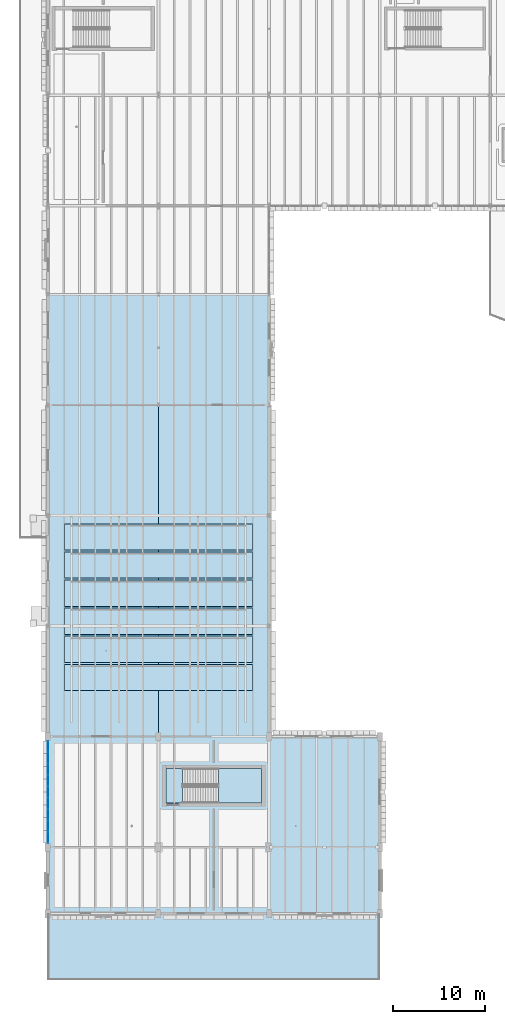
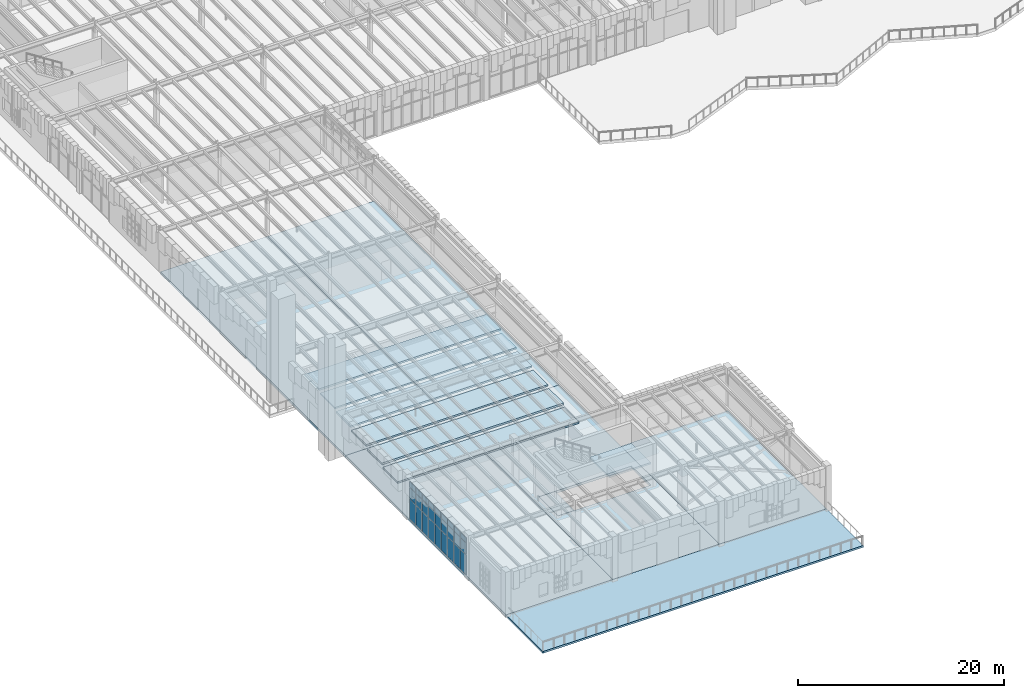
# One storey, part 39 of 103: 27 plates, 14 slabs, 2 elements without a shape of their own.
"""IFC4 building model written with IfcOpenShell, lengths in metres."""

from ifc_helpers import new_model, si_unit, direction, frame, origin, origin_2d, place, context, subcontext, project, spatial, polyline, rectangle, outline, extrude, material, layer, layer_set, type_object, element, aggregate, save


model = new_model("IFC4")

# Units and contexts
model_context = context("Model", 3, precision=1e-05, world=origin(), true_north=direction((0.0, 1.0)))
body_context = subcontext(model_context, "Body", "Model", "MODEL_VIEW")
ifc_project = project(units=[si_unit("LENGTHUNIT", "METRE"), si_unit("AREAUNIT", "SQUARE_METRE"), si_unit("VOLUMEUNIT", "CUBIC_METRE"), si_unit("PLANEANGLEUNIT", "RADIAN"), si_unit("MASSUNIT", "GRAM", prefix="KILO")], contexts=[model_context])

# Site, building, storey
site_placement = place(None, origin())
site = spatial("IfcSite", under=ifc_project, at=site_placement, CompositionType="ELEMENT")
building_placement = place(site_placement, origin())
building = spatial("IfcBuilding", under=site, at=building_placement, Name="Zlatogorsky Bluff Art Gallery", CompositionType="ELEMENT")
storey_placement = place(building_placement, origin())
storey = spatial("IfcBuildingStorey", under=building, at=storey_placement, Name="L00", CompositionType="ELEMENT", Elevation=0.0)

# Curtain wall, plates
ifc_material_1 = material(Name="Anodised Bronze Aluminium and Low-Iron Triple Glazing", Category="aluminium")
ifc_layer_1 = layer(ifc_material_1, 0.179931640625)
ifc_layer_set_1 = layer_set([ifc_layer_1], Name="Curtain Wall CW-03")
curtain_wall_type = type_object("IfcCurtainWallType", Name="Curtain Wall CW-03", PredefinedType="USERDEFINED", material=ifc_layer_set_1)
curtain_wall_placement = place(storey_placement, origin())
curtain_wall = element("IfcCurtainWall", 1, at=curtain_wall_placement, inside=storey, type_object=curtain_wall_type, Name="Unitised curtain wall CW-03 L00 W 0.2", ObjectType="CURTAIN WALL", PredefinedType="USERDEFINED")
ifc_material_2 = material(Name="Low-Iron Laminated Triple Glazing", Category="glass")
ifc_layer_2 = layer(ifc_material_2, 0.035888671875)
ifc_layer_set_2 = layer_set([ifc_layer_2], Name="Glazed Curtain Panel CWP-01")
plate_type = type_object("IfcPlateType", Name="Glazed Curtain Panel CWP-01", PredefinedType="CURTAIN_PANEL", material=ifc_layer_set_2)
plate_1_placement = place(storey_placement, frame((0.0, 25.321533203125, 0.06494140625), z_axis=(0.0, 0.0, 1.0), x_axis=(0.0, -1.0, 0.0)))
plate_1 = element("IfcPlate", 2, at=plate_1_placement, type_object=plate_type, Name="CW-03 panel 1.1", PredefinedType="CURTAIN_PANEL", context=body_context, shape_type="SweptSolid", body=[
    extrude(rectangle(XDim=1.136962890625, YDim=0.035888671875, at=origin_2d()), origin(), (0.0, 0.0, 1.0), 2.3525390625),
])
plate_2_placement = place(storey_placement, frame((0.0, 25.321533203125, 2.482421875), z_axis=(0.0, 0.0, 1.0), x_axis=(0.0, -1.0, 0.0)))
plate_2 = element("IfcPlate", 3, at=plate_2_placement, type_object=plate_type, Name="CW-03 panel 1.2", PredefinedType="CURTAIN_PANEL", context=body_context, shape_type="SweptSolid", body=[
    extrude(rectangle(XDim=1.136962890625, YDim=0.035888671875, at=origin_2d()), origin(), (0.0, 0.0, 1.0), 1.3349609375),
])
plate_3_placement = place(storey_placement, frame((0.0, 25.321533203125, 3.88232421875), z_axis=(0.0, 0.0, 1.0), x_axis=(0.0, -1.0, 0.0)))
plate_3 = element("IfcPlate", 4, at=plate_3_placement, type_object=plate_type, Name="CW-03 panel 1.3", PredefinedType="CURTAIN_PANEL", context=body_context, shape_type="SweptSolid", body=[
    extrude(rectangle(XDim=1.136962890625, YDim=0.035888671875, at=origin_2d()), origin(), (0.0, 0.0, 1.0), 0.612548828125),
])
plate_4_placement = place(storey_placement, frame((0.0, 24.103271484375, 0.06494140625), z_axis=(0.0, 0.0, 1.0), x_axis=(0.0, -1.0, 0.0)))
plate_4 = element("IfcPlate", 5, at=plate_4_placement, type_object=plate_type, Name="CW-03 panel 2.1", PredefinedType="CURTAIN_PANEL", context=body_context, shape_type="SweptSolid", body=[
    extrude(rectangle(XDim=1.16943359375, YDim=0.035888671875, at=origin_2d()), origin(), (0.0, 0.0, 1.0), 2.3525390625),
])
plate_5_placement = place(storey_placement, frame((0.0, 24.103271484375, 2.482421875), z_axis=(0.0, 0.0, 1.0), x_axis=(0.0, -1.0, 0.0)))
plate_5 = element("IfcPlate", 6, at=plate_5_placement, type_object=plate_type, Name="CW-03 panel 2.2", PredefinedType="CURTAIN_PANEL", context=body_context, shape_type="SweptSolid", body=[
    extrude(rectangle(XDim=1.16943359375, YDim=0.035888671875, at=origin_2d()), origin(), (0.0, 0.0, 1.0), 1.3349609375),
])
plate_6_placement = place(storey_placement, frame((0.0, 24.103271484375, 3.88232421875), z_axis=(0.0, 0.0, 1.0), x_axis=(0.0, -1.0, 0.0)))
plate_6 = element("IfcPlate", 7, at=plate_6_placement, type_object=plate_type, Name="CW-03 panel 2.3", PredefinedType="CURTAIN_PANEL", context=body_context, shape_type="SweptSolid", body=[
    extrude(rectangle(XDim=1.16943359375, YDim=0.035888671875, at=origin_2d()), origin(), (0.0, 0.0, 1.0), 0.612548828125),
])
plate_7_placement = place(storey_placement, frame((0.0, 22.868896484375, 0.06494140625), z_axis=(0.0, 0.0, 1.0), x_axis=(0.0, -1.0, 0.0)))
plate_7 = element("IfcPlate", 8, at=plate_7_placement, type_object=plate_type, Name="CW-03 panel 3.1", PredefinedType="CURTAIN_PANEL", context=body_context, shape_type="SweptSolid", body=[
    extrude(rectangle(XDim=1.16943359375, YDim=0.035888671875, at=origin_2d()), origin(), (0.0, 0.0, 1.0), 2.3525390625),
])
plate_8_placement = place(storey_placement, frame((0.0, 22.868896484375, 2.482421875), z_axis=(0.0, 0.0, 1.0), x_axis=(0.0, -1.0, 0.0)))
plate_8 = element("IfcPlate", 9, at=plate_8_placement, type_object=plate_type, Name="CW-03 panel 3.2", PredefinedType="CURTAIN_PANEL", context=body_context, shape_type="SweptSolid", body=[
    extrude(rectangle(XDim=1.16943359375, YDim=0.035888671875, at=origin_2d()), origin(), (0.0, 0.0, 1.0), 1.3349609375),
])
plate_9_placement = place(storey_placement, frame((0.0, 22.868896484375, 3.88232421875), z_axis=(0.0, 0.0, 1.0), x_axis=(0.0, -1.0, 0.0)))
plate_9 = element("IfcPlate", 10, at=plate_9_placement, type_object=plate_type, Name="CW-03 panel 3.3", PredefinedType="CURTAIN_PANEL", context=body_context, shape_type="SweptSolid", body=[
    extrude(rectangle(XDim=1.16943359375, YDim=0.035888671875, at=origin_2d()), origin(), (0.0, 0.0, 1.0), 0.612548828125),
])
plate_10_placement = place(storey_placement, frame((0.0, 21.634521484375, 0.06494140625), z_axis=(0.0, 0.0, 1.0), x_axis=(0.0, -1.0, 0.0)))
plate_10 = element("IfcPlate", 11, at=plate_10_placement, type_object=plate_type, Name="CW-03 panel 4.1", PredefinedType="CURTAIN_PANEL", context=body_context, shape_type="SweptSolid", body=[
    extrude(rectangle(XDim=1.16943359375, YDim=0.035888671875, at=origin_2d()), origin(), (0.0, 0.0, 1.0), 2.3525390625),
])
plate_11_placement = place(storey_placement, frame((0.0, 21.634521484375, 2.482421875), z_axis=(0.0, 0.0, 1.0), x_axis=(0.0, -1.0, 0.0)))
plate_11 = element("IfcPlate", 12, at=plate_11_placement, type_object=plate_type, Name="CW-03 panel 4.2", PredefinedType="CURTAIN_PANEL", context=body_context, shape_type="SweptSolid", body=[
    extrude(rectangle(XDim=1.16943359375, YDim=0.035888671875, at=origin_2d()), origin(), (0.0, 0.0, 1.0), 1.3349609375),
])
plate_12_placement = place(storey_placement, frame((0.0, 21.634521484375, 3.88232421875), z_axis=(0.0, 0.0, 1.0), x_axis=(0.0, -1.0, 0.0)))
plate_12 = element("IfcPlate", 13, at=plate_12_placement, type_object=plate_type, Name="CW-03 panel 4.3", PredefinedType="CURTAIN_PANEL", context=body_context, shape_type="SweptSolid", body=[
    extrude(rectangle(XDim=1.16943359375, YDim=0.035888671875, at=origin_2d()), origin(), (0.0, 0.0, 1.0), 0.612548828125),
])
plate_13_placement = place(storey_placement, frame((0.0, 20.39990234375, 0.06494140625), z_axis=(0.0, 0.0, 1.0), x_axis=(0.0, -1.0, 0.0)))
plate_13 = element("IfcPlate", 14, at=plate_13_placement, type_object=plate_type, Name="CW-03 panel 5.1", PredefinedType="CURTAIN_PANEL", context=body_context, shape_type="SweptSolid", body=[
    extrude(rectangle(XDim=1.16943359375, YDim=0.035888671875, at=origin_2d()), origin(), (0.0, 0.0, 1.0), 2.3525390625),
])
plate_14_placement = place(storey_placement, frame((0.0, 20.39990234375, 2.482421875), z_axis=(0.0, 0.0, 1.0), x_axis=(0.0, -1.0, 0.0)))
plate_14 = element("IfcPlate", 15, at=plate_14_placement, type_object=plate_type, Name="CW-03 panel 5.2", PredefinedType="CURTAIN_PANEL", context=body_context, shape_type="SweptSolid", body=[
    extrude(rectangle(XDim=1.16943359375, YDim=0.035888671875, at=origin_2d()), origin(), (0.0, 0.0, 1.0), 1.3349609375),
])
plate_15_placement = place(storey_placement, frame((0.0, 20.39990234375, 3.88232421875), z_axis=(0.0, 0.0, 1.0), x_axis=(0.0, -1.0, 0.0)))
plate_15 = element("IfcPlate", 16, at=plate_15_placement, type_object=plate_type, Name="CW-03 panel 5.3", PredefinedType="CURTAIN_PANEL", context=body_context, shape_type="SweptSolid", body=[
    extrude(rectangle(XDim=1.16943359375, YDim=0.035888671875, at=origin_2d()), origin(), (0.0, 0.0, 1.0), 0.612548828125),
])
plate_16_placement = place(storey_placement, frame((0.0, 19.16552734375, 0.06494140625), z_axis=(0.0, 0.0, 1.0), x_axis=(0.0, -1.0, 0.0)))
plate_16 = element("IfcPlate", 17, at=plate_16_placement, type_object=plate_type, Name="CW-03 panel 6.1", PredefinedType="CURTAIN_PANEL", context=body_context, shape_type="SweptSolid", body=[
    extrude(rectangle(XDim=1.16943359375, YDim=0.035888671875, at=origin_2d()), origin(), (0.0, 0.0, 1.0), 2.3525390625),
])
plate_17_placement = place(storey_placement, frame((0.0, 19.16552734375, 2.482421875), z_axis=(0.0, 0.0, 1.0), x_axis=(0.0, -1.0, 0.0)))
plate_17 = element("IfcPlate", 18, at=plate_17_placement, type_object=plate_type, Name="CW-03 panel 6.2", PredefinedType="CURTAIN_PANEL", context=body_context, shape_type="SweptSolid", body=[
    extrude(rectangle(XDim=1.16943359375, YDim=0.035888671875, at=origin_2d()), origin(), (0.0, 0.0, 1.0), 1.3349609375),
])
plate_18_placement = place(storey_placement, frame((0.0, 19.16552734375, 3.88232421875), z_axis=(0.0, 0.0, 1.0), x_axis=(0.0, -1.0, 0.0)))
plate_18 = element("IfcPlate", 19, at=plate_18_placement, type_object=plate_type, Name="CW-03 panel 6.3", PredefinedType="CURTAIN_PANEL", context=body_context, shape_type="SweptSolid", body=[
    extrude(rectangle(XDim=1.16943359375, YDim=0.035888671875, at=origin_2d()), origin(), (0.0, 0.0, 1.0), 0.612548828125),
])
plate_19_placement = place(storey_placement, frame((0.0, 17.93115234375, 0.06494140625), z_axis=(0.0, 0.0, 1.0), x_axis=(0.0, -1.0, 0.0)))
plate_19 = element("IfcPlate", 20, at=plate_19_placement, type_object=plate_type, Name="CW-03 panel 7.1", PredefinedType="CURTAIN_PANEL", context=body_context, shape_type="SweptSolid", body=[
    extrude(rectangle(XDim=1.16943359375, YDim=0.035888671875, at=origin_2d()), origin(), (0.0, 0.0, 1.0), 2.3525390625),
])
plate_20_placement = place(storey_placement, frame((0.0, 17.93115234375, 2.482421875), z_axis=(0.0, 0.0, 1.0), x_axis=(0.0, -1.0, 0.0)))
plate_20 = element("IfcPlate", 21, at=plate_20_placement, type_object=plate_type, Name="CW-03 panel 7.2", PredefinedType="CURTAIN_PANEL", context=body_context, shape_type="SweptSolid", body=[
    extrude(rectangle(XDim=1.16943359375, YDim=0.035888671875, at=origin_2d()), origin(), (0.0, 0.0, 1.0), 1.3349609375),
])
plate_21_placement = place(storey_placement, frame((0.0, 17.93115234375, 3.88232421875), z_axis=(0.0, 0.0, 1.0), x_axis=(0.0, -1.0, 0.0)))
plate_21 = element("IfcPlate", 22, at=plate_21_placement, type_object=plate_type, Name="CW-03 panel 7.3", PredefinedType="CURTAIN_PANEL", context=body_context, shape_type="SweptSolid", body=[
    extrude(rectangle(XDim=1.16943359375, YDim=0.035888671875, at=origin_2d()), origin(), (0.0, 0.0, 1.0), 0.612548828125),
])
plate_22_placement = place(storey_placement, frame((0.0, 16.69677734375, 0.06494140625), z_axis=(0.0, 0.0, 1.0), x_axis=(0.0, -1.0, 0.0)))
plate_22 = element("IfcPlate", 23, at=plate_22_placement, type_object=plate_type, Name="CW-03 panel 8.1", PredefinedType="CURTAIN_PANEL", context=body_context, shape_type="SweptSolid", body=[
    extrude(rectangle(XDim=1.16943359375, YDim=0.035888671875, at=origin_2d()), origin(), (0.0, 0.0, 1.0), 2.3525390625),
])
plate_23_placement = place(storey_placement, frame((0.0, 16.69677734375, 2.482421875), z_axis=(0.0, 0.0, 1.0), x_axis=(0.0, -1.0, 0.0)))
plate_23 = element("IfcPlate", 24, at=plate_23_placement, type_object=plate_type, Name="CW-03 panel 8.2", PredefinedType="CURTAIN_PANEL", context=body_context, shape_type="SweptSolid", body=[
    extrude(rectangle(XDim=1.16943359375, YDim=0.035888671875, at=origin_2d()), origin(), (0.0, 0.0, 1.0), 1.3349609375),
])
plate_24_placement = place(storey_placement, frame((0.0, 16.69677734375, 3.88232421875), z_axis=(0.0, 0.0, 1.0), x_axis=(0.0, -1.0, 0.0)))
plate_24 = element("IfcPlate", 25, at=plate_24_placement, type_object=plate_type, Name="CW-03 panel 8.3", PredefinedType="CURTAIN_PANEL", context=body_context, shape_type="SweptSolid", body=[
    extrude(rectangle(XDim=1.16943359375, YDim=0.035888671875, at=origin_2d()), origin(), (0.0, 0.0, 1.0), 0.612548828125),
])
plate_25_placement = place(storey_placement, frame((0.0, 15.478515625, 0.06494140625), z_axis=(0.0, 0.0, 1.0), x_axis=(0.0, -1.0, 0.0)))
plate_25 = element("IfcPlate", 26, at=plate_25_placement, type_object=plate_type, Name="CW-03 panel 9.1", PredefinedType="CURTAIN_PANEL", context=body_context, shape_type="SweptSolid", body=[
    extrude(rectangle(XDim=1.136962890625, YDim=0.035888671875, at=origin_2d()), origin(), (0.0, 0.0, 1.0), 2.3525390625),
])
plate_26_placement = place(storey_placement, frame((0.0, 15.478515625, 2.482421875), z_axis=(0.0, 0.0, 1.0), x_axis=(0.0, -1.0, 0.0)))
plate_26 = element("IfcPlate", 27, at=plate_26_placement, type_object=plate_type, Name="CW-03 panel 9.2", PredefinedType="CURTAIN_PANEL", context=body_context, shape_type="SweptSolid", body=[
    extrude(rectangle(XDim=1.136962890625, YDim=0.035888671875, at=origin_2d()), origin(), (0.0, 0.0, 1.0), 1.3349609375),
])
plate_27_placement = place(storey_placement, frame((0.0, 15.478515625, 3.88232421875), z_axis=(0.0, 0.0, 1.0), x_axis=(0.0, -1.0, 0.0)))
plate_27 = element("IfcPlate", 28, at=plate_27_placement, type_object=plate_type, Name="CW-03 panel 9.3", PredefinedType="CURTAIN_PANEL", context=body_context, shape_type="SweptSolid", body=[
    extrude(rectangle(XDim=1.136962890625, YDim=0.035888671875, at=origin_2d()), origin(), (0.0, 0.0, 1.0), 0.612548828125),
])
aggregate(curtain_wall, [plate_1, plate_2, plate_3, plate_4, plate_5, plate_6, plate_7, plate_8, plate_9, plate_10, plate_11, plate_12, plate_13, plate_14, plate_15, plate_16, plate_17, plate_18, plate_19, plate_20, plate_21, plate_22, plate_23, plate_24, plate_25, plate_26, plate_27])

# Slabs
ifc_material_3 = material(Name="Concrete C30/37", Category="concrete")
ifc_layer_3 = layer(ifc_material_3, 0.280029296875)
ifc_layer_set_3 = layer_set([ifc_layer_3], Name="Slab SL-00 280mm")
slab_type_1 = type_object("IfcSlabType", Name="Slab SL-00 280mm", PredefinedType="FLOOR", material=ifc_layer_set_3)
slab_1_placement = place(storey_placement, frame((0.0, 0.0, -0.280029296875)))
element("IfcSlab", 29, at=slab_1_placement, inside=storey, type_object=slab_type_1, Name="L00 structural floor slab panel 01", PredefinedType="FLOOR", context=body_context, shape_type="SweptSolid", body=[
    extrude(outline(polyline([(0.0, 7.199951171875), (0.0, 14.39990234375), (0.0, 26.39990234375), (0.0, 38.39990234375), (12.0, 38.39990234375), (12.0, 26.39990234375), (12.0, 14.39990234375), (12.0, 7.199951171875), (0.0, 7.199951171875)])), origin(), (0.0, 0.0, 1.0), 0.280029296875),
])
slab_2_placement = place(storey_placement, frame((0.0, 0.0, -0.280029296875)))
element("IfcSlab", 30, at=slab_2_placement, inside=storey, type_object=slab_type_1, Name="L00 structural floor slab panel 02", PredefinedType="FLOOR", context=body_context, shape_type="SweptSolid", body=[
    extrude(outline(polyline([(0.0, 38.39990234375), (0.0, 50.39990234375), (0.0, 62.39990234375), (0.0, 74.39990234375), (12.0, 74.39990234375), (12.0, 62.39990234375), (12.0, 50.39990234375), (12.0, 38.39990234375), (0.0, 38.39990234375)])), origin(), (0.0, 0.0, 1.0), 0.280029296875),
])
slab_3_placement = place(storey_placement, frame((0.0, 0.0, -0.280029296875)))
element("IfcSlab", 31, at=slab_3_placement, inside=storey, type_object=slab_type_1, Name="L00 structural floor slab panel 05", PredefinedType="FLOOR", context=body_context, shape_type="SweptSolid", body=[
    extrude(outline(polyline([(12.0, 7.199951171875), (12.0, 14.39990234375), (12.0, 26.39990234375), (12.0, 38.39990234375), (24.0, 38.39990234375), (24.0, 26.39990234375), (24.0, 14.39990234375), (24.0, 7.199951171875), (12.0, 7.199951171875)]), holes=[polyline([(23.199951171875, 22.949951171875), (12.800048828125, 22.949951171875), (12.800048828125, 19.199951171875), (23.199951171875, 19.199951171875), (23.199951171875, 22.949951171875)])]), origin(), (0.0, 0.0, 1.0), 0.280029296875),
])
slab_4_placement = place(storey_placement, frame((0.0, 0.0, -0.280029296875)))
element("IfcSlab", 32, at=slab_4_placement, inside=storey, type_object=slab_type_1, Name="L00 structural floor slab panel 06", PredefinedType="FLOOR", context=body_context, shape_type="SweptSolid", body=[
    extrude(outline(polyline([(12.0, 38.39990234375), (12.0, 50.39990234375), (12.0, 62.39990234375), (12.0, 74.39990234375), (24.0, 74.39990234375), (24.0, 62.39990234375), (24.0, 50.39990234375), (24.0, 38.39990234375), (12.0, 38.39990234375)])), origin(), (0.0, 0.0, 1.0), 0.280029296875),
])
slab_5_placement = place(storey_placement, frame((0.0, 0.0, -0.280029296875)))
element("IfcSlab", 33, at=slab_5_placement, inside=storey, type_object=slab_type_1, Name="L00 structural floor slab panel 08", PredefinedType="FLOOR", context=body_context, shape_type="SweptSolid", body=[
    extrude(outline(polyline([(24.0, 7.199951171875), (24.0, 14.39990234375), (24.0, 26.39990234375), (36.0, 26.39990234375), (36.0, 14.39990234375), (36.0, 7.199951171875), (24.0, 7.199951171875)])), origin(), (0.0, 0.0, 1.0), 0.280029296875),
])
slab_6_placement = place(storey_placement, frame((0.0, 0.0, -0.280029296875)))
element("IfcSlab", 34, at=slab_6_placement, inside=storey, type_object=slab_type_1, Name="L00 stair ST-09 structural floor landing slab", PredefinedType="FLOOR", context=body_context, shape_type="SweptSolid", body=[
    extrude(outline(polyline([(12.800048828125, 19.199951171875), (14.60009765625, 19.199951171875), (14.60009765625, 22.949951171875), (12.800048828125, 22.949951171875), (12.800048828125, 19.199951171875)])), origin(), (0.0, 0.0, 1.0), 0.280029296875),
])
ifc_layer_4 = layer(ifc_material_3, 0.18994140625)
ifc_layer_set_4 = layer_set([ifc_layer_4], Name="Slab SL-ST1 190mm")
slab_type_2 = type_object("IfcSlabType", Name="Slab SL-ST1 190mm", PredefinedType="USERDEFINED", material=ifc_layer_set_4)
slab_7_placement = place(storey_placement, frame((0.0, 0.0, 0.3046875)))
element("IfcSlab", 35, at=slab_7_placement, inside=storey, type_object=slab_type_2, Name="Auditorium raked seating tier 1", ObjectType="SEATING TIER", PredefinedType="USERDEFINED", context=body_context, shape_type="SweptSolid", body=[
    extrude(outline(polyline([(1.800048828125, 31.39990234375), (22.199951171875, 31.39990234375), (22.199951171875, 34.25), (1.800048828125, 34.25), (1.800048828125, 31.39990234375)])), origin(), (0.0, 0.0, 1.0), 0.190185546875),
])
slab_8_placement = place(storey_placement, frame((0.0, 0.0, 1.0146484375)))
element("IfcSlab", 36, at=slab_8_placement, inside=storey, type_object=slab_type_2, Name="Auditorium raked seating tier 3", ObjectType="SEATING TIER", PredefinedType="USERDEFINED", context=body_context, shape_type="SweptSolid", body=[
    extrude(outline(polyline([(1.800048828125, 37.5), (22.199951171875, 37.5), (22.199951171875, 40.35009765625), (1.800048828125, 40.35009765625), (1.800048828125, 37.5)])), origin(), (0.0, 0.0, 1.0), 0.18994140625),
])
slab_9_placement = place(storey_placement, frame((0.0, 0.0, 1.724609375)))
element("IfcSlab", 37, at=slab_9_placement, inside=storey, type_object=slab_type_2, Name="Auditorium raked seating tier 5", ObjectType="SEATING TIER", PredefinedType="USERDEFINED", context=body_context, shape_type="SweptSolid", body=[
    extrude(outline(polyline([(1.800048828125, 43.60009765625), (22.199951171875, 43.60009765625), (22.199951171875, 46.449951171875), (1.800048828125, 46.449951171875), (1.800048828125, 43.60009765625)])), origin(), (0.0, 0.0, 1.0), 0.18994140625),
])
ifc_layer_5 = layer(ifc_material_3, 0.2099609375)
ifc_layer_set_5 = layer_set([ifc_layer_5], Name="Slab SL-ST2 210mm")
slab_type_3 = type_object("IfcSlabType", Name="Slab SL-ST2 210mm", PredefinedType="USERDEFINED", material=ifc_layer_set_5)
slab_10_placement = place(storey_placement, frame((0.0, 0.0, 0.65966796875)))
element("IfcSlab", 38, at=slab_10_placement, inside=storey, type_object=slab_type_3, Name="Auditorium raked seating tier 2", ObjectType="SEATING TIER", PredefinedType="USERDEFINED", context=body_context, shape_type="SweptSolid", body=[
    extrude(outline(polyline([(1.800048828125, 34.449951171875), (22.199951171875, 34.449951171875), (22.199951171875, 37.300048828125), (1.800048828125, 37.300048828125), (1.800048828125, 34.449951171875)])), origin(), (0.0, 0.0, 1.0), 0.2099609375),
])
slab_11_placement = place(storey_placement, frame((0.0, 0.0, 1.36962890625)))
element("IfcSlab", 39, at=slab_11_placement, inside=storey, type_object=slab_type_3, Name="Auditorium raked seating tier 4", ObjectType="SEATING TIER", PredefinedType="USERDEFINED", context=body_context, shape_type="SweptSolid", body=[
    extrude(outline(polyline([(1.800048828125, 40.550048828125), (22.199951171875, 40.550048828125), (22.199951171875, 43.39990234375), (1.800048828125, 43.39990234375), (1.800048828125, 40.550048828125)])), origin(), (0.0, 0.0, 1.0), 0.2099609375),
])
slab_12_placement = place(storey_placement, frame((0.0, 0.0, 2.079345703125)))
element("IfcSlab", 40, at=slab_12_placement, inside=storey, type_object=slab_type_3, Name="Auditorium raked seating tier 6", ObjectType="SEATING TIER", PredefinedType="USERDEFINED", context=body_context, shape_type="SweptSolid", body=[
    extrude(outline(polyline([(1.800048828125, 46.64990234375), (22.199951171875, 46.64990234375), (22.199951171875, 49.5), (1.800048828125, 49.5), (1.800048828125, 46.64990234375)])), origin(), (0.0, 0.0, 1.0), 0.2099609375),
])
ifc_material_4 = material(Name="Concrete C35/45", Category="concrete")
ifc_layer_6 = layer(ifc_material_4, 0.219970703125)
ifc_layer_set_6 = layer_set([ifc_layer_6], Name="Slab SL-TR1 220mm")
slab_type_4 = type_object("IfcSlabType", Name="Slab SL-TR1 220mm", PredefinedType="FLOOR", material=ifc_layer_set_6)
slab_13_placement = place(storey_placement, frame((0.0, 0.0, -0.219970703125)))
element("IfcSlab", 41, at=slab_13_placement, inside=storey, type_object=slab_type_4, Name="L00 outdoor sculpture terrace slab 1", PredefinedType="FLOOR", context=body_context, shape_type="SweptSolid", body=[
    extrude(outline(polyline([(0.0, 7.199951171875), (12.0, 7.199951171875), (24.0, 7.199951171875), (36.0, 7.199951171875), (36.0, 0.0), (24.0, 0.0), (12.0, 0.0), (0.0, 0.0), (0.0, 7.199951171875)])), origin(), (0.0, 0.0, 1.0), 0.219970703125),
])

# Stair, slab
stair_type = type_object("IfcStairType", Name="Protected Dogleg Stair ST-T1", PredefinedType="HALF_TURN_STAIR", material=ifc_material_3)
stair_placement = place(storey_placement, origin())
stair = element("IfcStair", 42, at=stair_placement, inside=storey, type_object=stair_type, Name="L00 Protected Exit Stair ST-09", PredefinedType="HALF_TURN_STAIR")
ifc_layer_7 = layer(ifc_material_3, 0.199951171875)
ifc_layer_set_7 = layer_set([ifc_layer_7], Name="Stair Half-Landing 200mm")
slab_type_5 = type_object("IfcSlabType", Name="Stair Half-Landing 200mm", PredefinedType="LANDING", material=ifc_layer_set_7)
slab_14_placement = place(storey_placement, frame((0.0, 0.0, 2.5)))
slab_14 = element("IfcSlab", 43, at=slab_14_placement, type_object=slab_type_5, Name="ST-09 landing 1", PredefinedType="LANDING", context=body_context, shape_type="SweptSolid", body=[
    extrude(outline(polyline([(18.52001953125, 19.199951171875), (23.199951171875, 19.199951171875), (23.199951171875, 22.949951171875), (18.52001953125, 22.949951171875), (18.52001953125, 19.199951171875)])), origin(), (0.0, 0.0, 1.0), 0.199951171875),
])
aggregate(stair, [slab_14])

save(model, "model.ifc")
